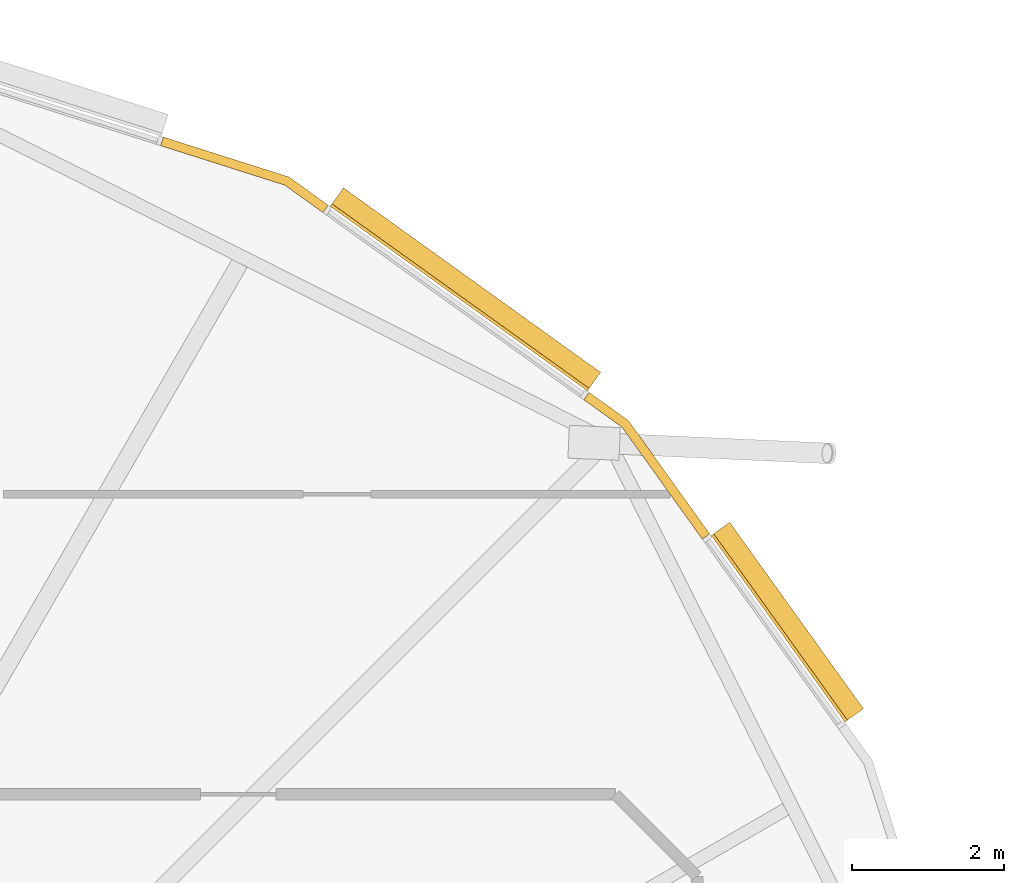
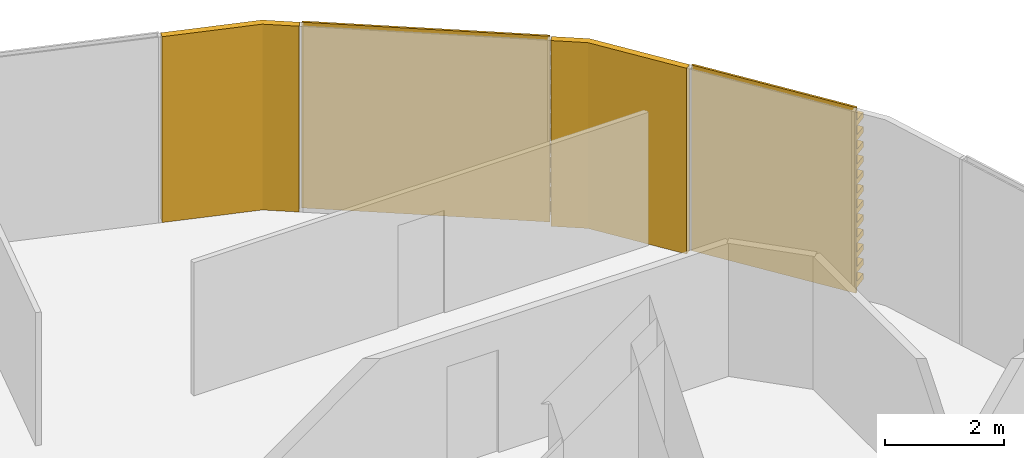
# One storey, part 41 of 41: 4 coverings.
"""IFC4 building model written with IfcOpenShell, lengths in metres."""

from ifc_helpers import new_model, si_unit, direction, frame, origin, place, context, subcontext, project, spatial, polyline, outline, extrude, material, layer, layer_set, material_profile, profile_set, type_object, element, save


model = new_model("IFC4")

# Units and contexts
model_context = context("Model", 3, precision=1e-05, world=origin(), true_north=direction((0.0, 1.0)))
body_context = subcontext(model_context, "Body", "Model", "MODEL_VIEW")
ifc_project = project(units=[si_unit("LENGTHUNIT", "METRE"), si_unit("AREAUNIT", "SQUARE_METRE"), si_unit("VOLUMEUNIT", "CUBIC_METRE"), si_unit("PLANEANGLEUNIT", "RADIAN"), si_unit("MASSUNIT", "GRAM", prefix="KILO")], contexts=[model_context])

# Site, building, storey
site_placement = place(None, origin())
site = spatial("IfcSite", under=ifc_project, at=site_placement, CompositionType="ELEMENT")
building_placement = place(site_placement, origin())
building = spatial("IfcBuilding", under=site, at=building_placement, Name="Rimbun Link Towers", CompositionType="ELEMENT")
storey_placement = place(building_placement, frame((0.0, 0.0, 214.300048828125)))
storey = spatial("IfcBuildingStorey", under=building, at=storey_placement, Name="L52", CompositionType="ELEMENT", Elevation=214.300048828125)

# Coverings
ifc_material_1 = material(Name="Terracotta", Category="masonry")
ifc_layer = layer(ifc_material_1, 0.1201171875)
ifc_layer_set = layer_set([ifc_layer], Name="LINK PIER terracotta cladding 120")
covering_type_1 = type_object("IfcCoveringType", Name="LINK PIER terracotta cladding 120", PredefinedType="CLADDING", material=ifc_layer_set)
covering_1_placement = place(storey_placement, origin())
element("IfcCovering", 1, at=covering_1_placement, inside=storey, type_object=covering_type_1, Name="LINK PIER cladding", PredefinedType="CLADDING", context=body_context, shape_type="SweptSolid", body=[
    extrude(outline(polyline([(46.13818359375, 15.253173828125), (46.641845703125, 14.891845703125), (47.702880859375, 13.4130859375), (47.80029296875, 13.483154296875), (46.727783203125, 14.977783203125), (46.2080078125, 15.350830078125), (46.13818359375, 15.253173828125)])), origin(), (0.0, 0.0, 1.0), 3.800048828125),
])
covering_2_placement = place(storey_placement, origin())
element("IfcCovering", 2, at=covering_2_placement, inside=storey, type_object=covering_type_1, Name="LINK PIER cladding", PredefinedType="CLADDING", context=body_context, shape_type="SweptSolid", body=[
    extrude(outline(polyline([(40.552490234375, 18.6064453125), (42.19140625, 18.085205078125), (42.6953125, 17.7236328125), (42.76513671875, 17.8212890625), (42.24609375, 18.19384765625), (40.5888671875, 18.720947265625), (40.552490234375, 18.6064453125)])), origin(), (0.0, 0.0, 1.0), 3.800048828125),
])
ifc_material_2 = material(Name="Terracotta", Category="masonry")
ifc_material_profile = material_profile(ifc_material_2, outline(polyline([(0.123046875, 0.0), (0.1630859375, 0.0), (0.1630859375, 0.10009765625), (0.423095703125, 0.10009765625), (0.423095703125, 0.219970703125), (0.1630859375, 0.219970703125), (0.1630859375, 0.39990234375), (0.423095703125, 0.39990234375), (0.423095703125, 0.52001953125), (0.1630859375, 0.52001953125), (0.1630859375, 0.699951171875), (0.423095703125, 0.699951171875), (0.423095703125, 0.820068359375), (0.1630859375, 0.820068359375), (0.1630859375, 1.0), (0.423095703125, 1.0), (0.423095703125, 1.1201171875), (0.1630859375, 1.1201171875), (0.1630859375, 1.300048828125), (0.423095703125, 1.300048828125), (0.423095703125, 1.419921875), (0.1630859375, 1.419921875), (0.1630859375, 1.60009765625), (0.423095703125, 1.60009765625), (0.423095703125, 1.719970703125), (0.1630859375, 1.719970703125), (0.1630859375, 1.89990234375), (0.423095703125, 1.89990234375), (0.423095703125, 2.02001953125), (0.1630859375, 2.02001953125), (0.1630859375, 2.199951171875), (0.423095703125, 2.199951171875), (0.423095703125, 2.320068359375), (0.1630859375, 2.320068359375), (0.1630859375, 2.5), (0.423095703125, 2.5), (0.423095703125, 2.6201171875), (0.1630859375, 2.6201171875), (0.1630859375, 2.800048828125), (0.423095703125, 2.800048828125), (0.423095703125, 2.919921875), (0.1630859375, 2.919921875), (0.1630859375, 3.10009765625), (0.423095703125, 3.10009765625), (0.423095703125, 3.219970703125), (0.1630859375, 3.219970703125), (0.1630859375, 3.39990234375), (0.423095703125, 3.39990234375), (0.423095703125, 3.52001953125), (0.1630859375, 3.52001953125), (0.1630859375, 3.800048828125), (0.123046875, 3.800048828125), (0.123046875, 0.0)])), Name="BAGUETTE 120X300")
ifc_profile_set = profile_set([ifc_material_profile], Name="Terracotta")
covering_type_2 = type_object("IfcCoveringType", Name="TERRACOTTA BAGUETTE 120X300 H3800", PredefinedType="CLADDING", material=ifc_profile_set)
covering_3_placement = place(storey_placement, frame((42.7197265625, 17.706298828125, 0.0), z_axis=(0.8124600168, -0.583016913221, 0.0), x_axis=(0.583016913221, 0.8124600168, 0.0)))
element("IfcCovering", 3, at=covering_3_placement, inside=storey, type_object=covering_type_2, Name="TERRACOTTA BAGUETTE", PredefinedType="CLADDING", context=body_context, shape_type="SweptSolid", body=[
    extrude(outline(polyline([(0.123046875, 0.0), (0.1630859375, 0.0), (0.1630859375, 0.10009765625), (0.423095703125, 0.10009765625), (0.423095703125, 0.219970703125), (0.1630859375, 0.219970703125), (0.1630859375, 0.39990234375), (0.423095703125, 0.39990234375), (0.423095703125, 0.52001953125), (0.1630859375, 0.52001953125), (0.1630859375, 0.699951171875), (0.423095703125, 0.699951171875), (0.423095703125, 0.820068359375), (0.1630859375, 0.820068359375), (0.1630859375, 1.0), (0.423095703125, 1.0), (0.423095703125, 1.1201171875), (0.1630859375, 1.1201171875), (0.1630859375, 1.300048828125), (0.423095703125, 1.300048828125), (0.423095703125, 1.419921875), (0.1630859375, 1.419921875), (0.1630859375, 1.60009765625), (0.423095703125, 1.60009765625), (0.423095703125, 1.719970703125), (0.1630859375, 1.719970703125), (0.1630859375, 1.89990234375), (0.423095703125, 1.89990234375), (0.423095703125, 2.02001953125), (0.1630859375, 2.02001953125), (0.1630859375, 2.199951171875), (0.423095703125, 2.199951171875), (0.423095703125, 2.320068359375), (0.1630859375, 2.320068359375), (0.1630859375, 2.5), (0.423095703125, 2.5), (0.423095703125, 2.6201171875), (0.1630859375, 2.6201171875), (0.1630859375, 2.800048828125), (0.423095703125, 2.800048828125), (0.423095703125, 2.919921875), (0.1630859375, 2.919921875), (0.1630859375, 3.10009765625), (0.423095703125, 3.10009765625), (0.423095703125, 3.219970703125), (0.1630859375, 3.219970703125), (0.1630859375, 3.39990234375), (0.423095703125, 3.39990234375), (0.423095703125, 3.52001953125), (0.1630859375, 3.52001953125), (0.1630859375, 3.800048828125), (0.123046875, 3.800048828125), (0.123046875, 0.0)])), origin(), (0.0, 0.0, 1.0), 4.177490234375),
])
covering_4_placement = place(storey_placement, frame((47.720458984375, 13.388671875, 0.0), z_axis=(0.582976162964, -0.812489257416, 0.0), x_axis=(0.812489257416, 0.582976162964, 0.0)))
element("IfcCovering", 4, at=covering_4_placement, inside=storey, type_object=covering_type_2, Name="TERRACOTTA BAGUETTE", PredefinedType="CLADDING", context=body_context, shape_type="SweptSolid", body=[
    extrude(outline(polyline([(0.123046875, 0.0), (0.1630859375, 0.0), (0.1630859375, 0.10009765625), (0.423095703125, 0.10009765625), (0.423095703125, 0.219970703125), (0.1630859375, 0.219970703125), (0.1630859375, 0.39990234375), (0.423095703125, 0.39990234375), (0.423095703125, 0.52001953125), (0.1630859375, 0.52001953125), (0.1630859375, 0.699951171875), (0.423095703125, 0.699951171875), (0.423095703125, 0.820068359375), (0.1630859375, 0.820068359375), (0.1630859375, 1.0), (0.423095703125, 1.0), (0.423095703125, 1.1201171875), (0.1630859375, 1.1201171875), (0.1630859375, 1.300048828125), (0.423095703125, 1.300048828125), (0.423095703125, 1.419921875), (0.1630859375, 1.419921875), (0.1630859375, 1.60009765625), (0.423095703125, 1.60009765625), (0.423095703125, 1.719970703125), (0.1630859375, 1.719970703125), (0.1630859375, 1.89990234375), (0.423095703125, 1.89990234375), (0.423095703125, 2.02001953125), (0.1630859375, 2.02001953125), (0.1630859375, 2.199951171875), (0.423095703125, 2.199951171875), (0.423095703125, 2.320068359375), (0.1630859375, 2.320068359375), (0.1630859375, 2.5), (0.423095703125, 2.5), (0.423095703125, 2.6201171875), (0.1630859375, 2.6201171875), (0.1630859375, 2.800048828125), (0.423095703125, 2.800048828125), (0.423095703125, 2.919921875), (0.1630859375, 2.919921875), (0.1630859375, 3.10009765625), (0.423095703125, 3.10009765625), (0.423095703125, 3.219970703125), (0.1630859375, 3.219970703125), (0.1630859375, 3.39990234375), (0.423095703125, 3.39990234375), (0.423095703125, 3.52001953125), (0.1630859375, 3.52001953125), (0.1630859375, 3.800048828125), (0.123046875, 3.800048828125), (0.123046875, 0.0)])), origin(), (0.0, 0.0, 1.0), 3.02734375),
])

save(model, "model.ifc")
